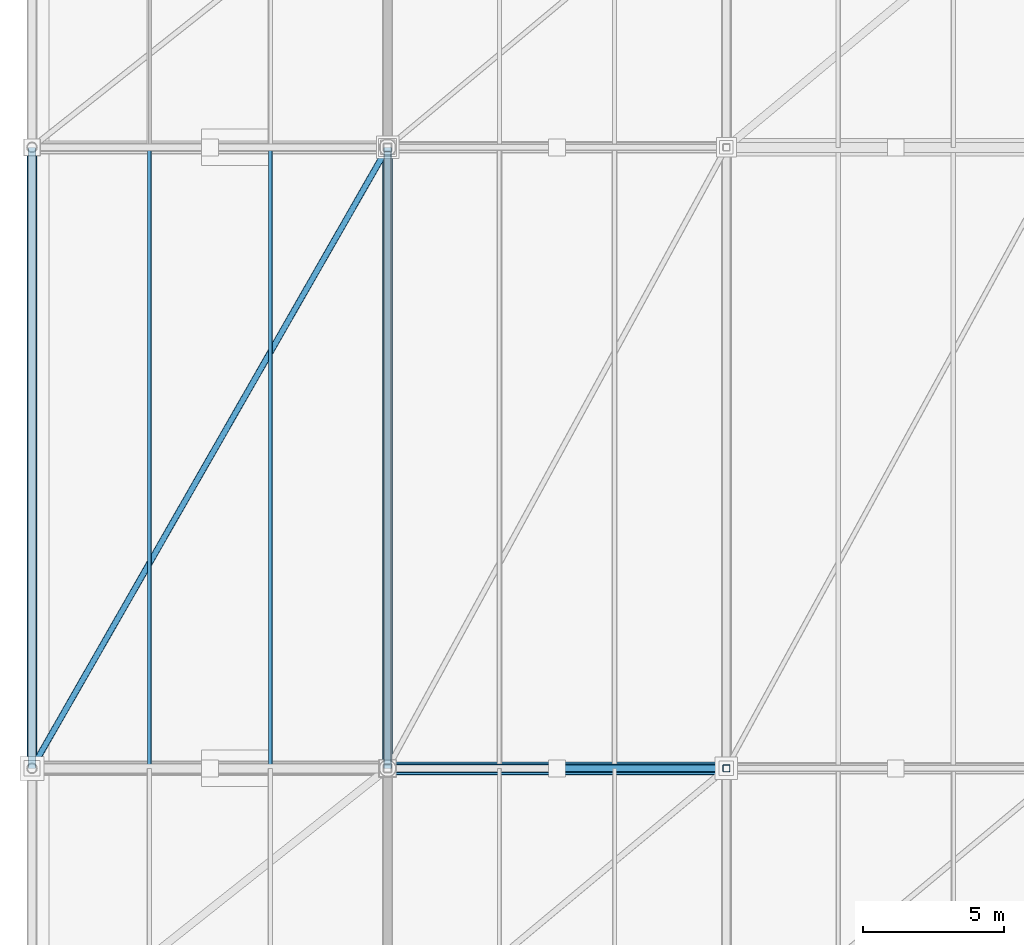
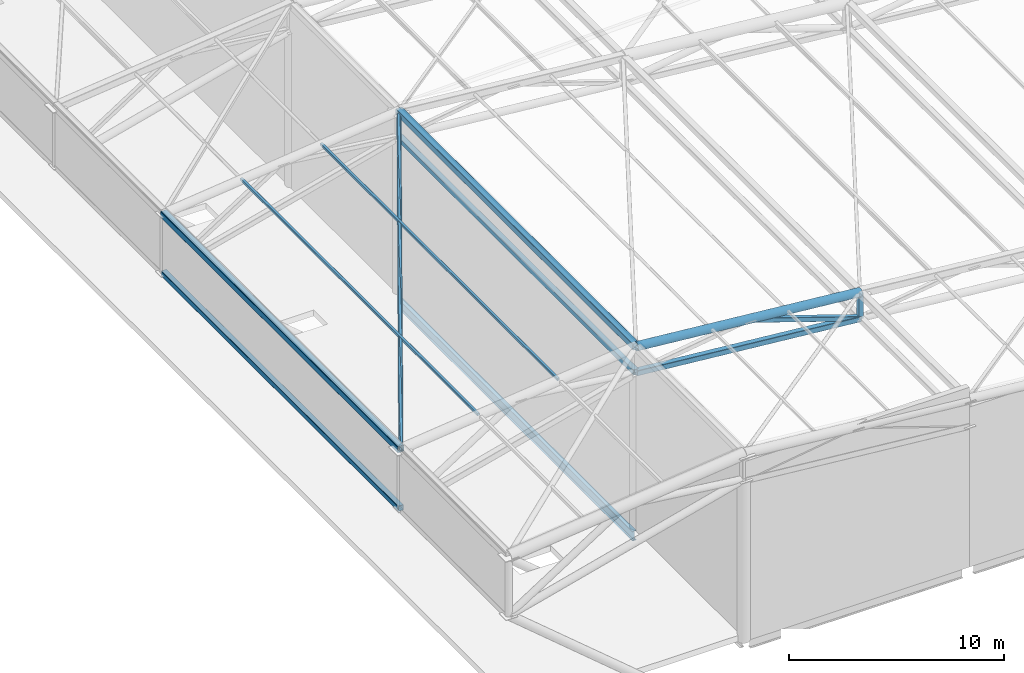
# One storey, part 7 of 44: 11 members, 1 beam.
"""IFC4 building model written with IfcOpenShell, lengths in metres."""

from ifc_helpers import new_model, si_unit, direction, frame, origin, origin_2d, place, context, subcontext, project, spatial, hollow_rectangle, hollow_circle, i_section, extrude, material, material_profile, profile_set, type_object, element, save


model = new_model("IFC4")

# Units and contexts
model_context = context("Model", 3, precision=1e-05, world=origin(), true_north=direction((0.0, 1.0)))
body_context = subcontext(model_context, "Body", "Model", "MODEL_VIEW")
ifc_project = project(units=[si_unit("LENGTHUNIT", "METRE"), si_unit("AREAUNIT", "SQUARE_METRE"), si_unit("VOLUMEUNIT", "CUBIC_METRE"), si_unit("PLANEANGLEUNIT", "RADIAN"), si_unit("MASSUNIT", "GRAM", prefix="KILO")], contexts=[model_context])

# Site, building, storey
site_placement = place(None, origin())
site = spatial("IfcSite", under=ifc_project, at=site_placement, CompositionType="ELEMENT")
building_placement = place(site_placement, origin())
building = spatial("IfcBuilding", under=site, at=building_placement, Name="Brinegate Civic Arena", CompositionType="ELEMENT")
storey_placement = place(building_placement, frame((0.0, 0.0, 29.39990234375)))
storey = spatial("IfcBuildingStorey", under=building, at=storey_placement, Name="RF", CompositionType="ELEMENT", Elevation=29.39990234375)

# Members
ifc_material = material(Name="Steel S355", Category="steel")
ifc_material_profile_1 = material_profile(ifc_material, hollow_rectangle(XDim=0.139892578125, YDim=0.139892578125, WallThickness=0.008056640625, InnerFilletRadius=0.008056640625, OuterFilletRadius=0.01611328125, at=origin_2d()), Name="SHS140X8")
ifc_profile_set_1 = profile_set([ifc_material_profile_1], Name="Steel S355")
member_type_1 = type_object("IfcMemberType", Name="RF-PURLIN-SHS140", PredefinedType="PURLIN", material=ifc_profile_set_1)
for number, where, z_axis, x_axis, name in (
    (1, (51.55810546875, 20.0, 9.656982421875), (0.0, 1.0, 0.0), (-1.0, 0.0, 0.0), "Roof Purlin RFP-019"),
    (2, (55.842041015625, 20.0, 10.133056640625), (0.0, 1.0, 0.0), (-1.0, 0.0, 0.0), "Roof Purlin RFP-020"),
):
    element("IfcMember", number, at=place(storey_placement, frame(where, z_axis=z_axis, x_axis=x_axis)), inside=storey, type_object=member_type_1, Name=name, PredefinedType="PURLIN", context=body_context, shape_type="SweptSolid", body=[
        extrude(hollow_rectangle(XDim=0.139892578125, YDim=0.139892578125, WallThickness=0.008056640625, InnerFilletRadius=0.008056640625, OuterFilletRadius=0.01611328125, at=origin_2d()), origin(), (0.0, 0.0, 1.0), 22.0),
    ])
ifc_material_profile_2 = material_profile(ifc_material, hollow_circle(Radius=0.109619140625, WallThickness=0.010009765625, at=origin_2d()), Name="CHS219X10")
ifc_profile_set_2 = profile_set([ifc_material_profile_2], Name="Steel S355")
member_type_2 = type_object("IfcMemberType", Name="SF-BRACE-CHS219", PredefinedType="BRACE", material=ifc_profile_set_2)
member_1_placement = place(storey_placement, frame((47.39990234375, 20.0, 9.150146484375), z_axis=(0.496235240708, 0.866435768469, 0.05513297559), x_axis=(-0.867755606686, 0.496991153909, 0.0)))
element("IfcMember", 3, at=member_1_placement, inside=storey, type_object=member_type_2, Name="Roof Plan Diagonal Brace PL-2-1", PredefinedType="BRACE", context=body_context, shape_type="SweptSolid", body=[
    extrude(hollow_circle(Radius=0.109619140625, WallThickness=0.010009765625, at=origin_2d()), origin(), (0.0, 0.0, 1.0), 25.391357421875),
])
ifc_material_profile_3 = material_profile(ifc_material, hollow_rectangle(XDim=0.25, YDim=0.25, WallThickness=0.011962890625, InnerFilletRadius=0.011962890625, OuterFilletRadius=0.02392578125, at=origin_2d()), Name="SHS250X12")
ifc_profile_set_3 = profile_set([ifc_material_profile_3], Name="Steel S355")
member_type_3 = type_object("IfcMemberType", Name="SF-BRACE-SHS250", PredefinedType="BRACE", material=ifc_profile_set_3)
member_2_placement = place(storey_placement, frame((66.0, 20.0, 9.988037109375), z_axis=(0.948068139281, 0.0, -0.318067293635), x_axis=(0.0, 1.0, 0.0)))
element("IfcMember", 4, at=member_2_placement, inside=storey, type_object=member_type_3, Name="Space Frame Web Brace D2-2-2", PredefinedType="BRACE", context=body_context, shape_type="SweptSolid", body=[
    extrude(hollow_rectangle(XDim=0.25, YDim=0.25, WallThickness=0.011962890625, InnerFilletRadius=0.011962890625, OuterFilletRadius=0.02392578125, at=origin_2d()), origin(), (0.0, 0.0, 1.0), 6.32861328125),
])
ifc_material_profile_4 = material_profile(ifc_material, hollow_circle(Radius=0.228515625, WallThickness=0.01611328125, at=origin_2d()), Name="CHS457X16")
ifc_profile_set_4 = profile_set([ifc_material_profile_4], Name="Steel S355")
member_type_4 = type_object("IfcMemberType", Name="SF-CHORD-CHS457", PredefinedType="CHORD", material=ifc_profile_set_4)
member_3_placement = place(storey_placement, frame((60.0, 20.0, 10.550048828125), z_axis=(0.995634226059, 0.0, -0.093340708693), x_axis=(0.0, 1.0, 0.0)))
element("IfcMember", 5, at=member_3_placement, inside=storey, type_object=member_type_4, Name="Space Frame Top Chord TX-2-2", PredefinedType="CHORD", context=body_context, shape_type="SweptSolid", body=[
    extrude(hollow_circle(Radius=0.228515625, WallThickness=0.01611328125, at=origin_2d()), origin(), (0.0, 0.0, 1.0), 12.052734375),
])
ifc_material_profile_5 = material_profile(ifc_material, hollow_rectangle(XDim=0.300048828125, YDim=0.300048828125, WallThickness=0.01611328125, InnerFilletRadius=0.01611328125, OuterFilletRadius=0.031982421875, at=origin_2d()), Name="SHS300X16")
ifc_profile_set_5 = profile_set([ifc_material_profile_5], Name="Steel S355")
member_type_5 = type_object("IfcMemberType", Name="SF-CHORD-SHS300", PredefinedType="CHORD", material=ifc_profile_set_5)
member_4_placement = place(storey_placement, frame((60.0, 20.0, 9.10009765625), z_axis=(0.995634226059, 0.0, -0.093340708693), x_axis=(0.0, 1.0, 0.0)))
element("IfcMember", 6, at=member_4_placement, inside=storey, type_object=member_type_5, Name="Space Frame Bottom Chord BX-2-2", PredefinedType="CHORD", context=body_context, shape_type="SweptSolid", body=[
    extrude(hollow_rectangle(XDim=0.300048828125, YDim=0.300048828125, WallThickness=0.01611328125, InnerFilletRadius=0.01611328125, OuterFilletRadius=0.031982421875, at=origin_2d()), origin(), (0.0, 0.0, 1.0), 12.052734375),
])
for number, where, z_axis, x_axis, name in (
    (7, (47.39990234375, 20.0, 5.800048828125), (0.0, 1.0, 0.0), (-1.0, 0.0, 0.0), "Space Frame Cross Bottom Chord BY-2-1"),
    (8, (60.0, 20.0, 9.10009765625), (0.0, 1.0, 0.0), (-1.0, 0.0, 0.0), "Space Frame Cross Bottom Chord BY-2-2"),
):
    element("IfcMember", number, at=place(storey_placement, frame(where, z_axis=z_axis, x_axis=x_axis)), inside=storey, type_object=member_type_5, Name=name, PredefinedType="CHORD", context=body_context, shape_type="SweptSolid", body=[
        extrude(hollow_rectangle(XDim=0.300048828125, YDim=0.300048828125, WallThickness=0.01611328125, InnerFilletRadius=0.01611328125, OuterFilletRadius=0.031982421875, at=origin_2d()), origin(), (0.0, 0.0, 1.0), 22.0),
    ])
ifc_material_profile_6 = material_profile(ifc_material, hollow_rectangle(XDim=0.35009765625, YDim=0.35009765625, WallThickness=0.01611328125, InnerFilletRadius=0.01611328125, OuterFilletRadius=0.031982421875, at=origin_2d()), Name="SHS350X16")
ifc_profile_set_6 = profile_set([ifc_material_profile_6], Name="Steel S355")
member_type_6 = type_object("IfcMemberType", Name="SF-CHORD-SHS350", PredefinedType="CHORD", material=ifc_profile_set_6)
for number, where, z_axis, x_axis, name in (
    (9, (47.39990234375, 20.0, 9.150146484375), (0.0, 1.0, 0.0), (-1.0, 0.0, 0.0), "Space Frame Cross Top Chord TY-2-1"),
    (10, (60.0, 20.0, 10.550048828125), (0.0, 1.0, 0.0), (-1.0, 0.0, 0.0), "Space Frame Cross Top Chord TY-2-2"),
):
    element("IfcMember", number, at=place(storey_placement, frame(where, z_axis=z_axis, x_axis=x_axis)), inside=storey, type_object=member_type_6, Name=name, PredefinedType="CHORD", context=body_context, shape_type="SweptSolid", body=[
        extrude(hollow_rectangle(XDim=0.35009765625, YDim=0.35009765625, WallThickness=0.01611328125, InnerFilletRadius=0.01611328125, OuterFilletRadius=0.031982421875, at=origin_2d()), origin(), (0.0, 0.0, 1.0), 22.0),
    ])
ifc_material_profile_7 = material_profile(ifc_material, hollow_rectangle(XDim=0.25, YDim=0.25, WallThickness=0.011962890625, InnerFilletRadius=0.011962890625, OuterFilletRadius=0.02392578125, at=origin_2d()), Name="SHS250X12")
ifc_profile_set_7 = profile_set([ifc_material_profile_7], Name="Steel S355")
member_type_7 = type_object("IfcMemberType", Name="SF-STRUT-SHS250", PredefinedType="STRUT", material=ifc_profile_set_7)
member_5_placement = place(storey_placement, frame((72.0, 20.0, 7.97509765625), z_axis=(0.0, 0.0, 1.0), x_axis=(1.0, 0.0, 0.0)))
element("IfcMember", 11, at=member_5_placement, inside=storey, type_object=member_type_7, Name="Space Frame Vertical Post V-2-3", PredefinedType="STRUT", context=body_context, shape_type="SweptSolid", body=[
    extrude(hollow_rectangle(XDim=0.25, YDim=0.25, WallThickness=0.011962890625, InnerFilletRadius=0.011962890625, OuterFilletRadius=0.02392578125, at=origin_2d()), origin(), (0.0, 0.0, 1.0), 1.449951171875),
])

# Beam
ifc_material_profile_8 = material_profile(ifc_material, i_section(OverallWidth=0.2119140625, OverallDepth=0.5439453125, WebThickness=0.012939453125, FlangeThickness=0.02099609375, FilletRadius=0.01611328125, at=origin_2d()), Name="W530X123")
ifc_profile_set_8 = profile_set([ifc_material_profile_8], Name="Steel S355")
beam_type = type_object("IfcBeamType", Name="SPANDREL-W530X123", PredefinedType="SPANDREL", material=ifc_profile_set_8)
beam_placement = place(storey_placement, frame((60.0, 20.14990234375, -0.27197265625), z_axis=(0.0, 1.0, 0.0), x_axis=(-1.0, 0.0, 0.0)))
element("IfcBeam", 12, at=beam_placement, inside=storey, type_object=beam_type, Name="West Drum Crown Ring Beam WDRM-2", PredefinedType="SPANDREL", context=body_context, shape_type="SweptSolid", body=[
    extrude(i_section(OverallWidth=0.2119140625, OverallDepth=0.5439453125, WebThickness=0.012939453125, FlangeThickness=0.02099609375, FilletRadius=0.01611328125, at=origin_2d()), origin(), (0.0, 0.0, 1.0), 21.7001953125),
])

save(model, "model.ifc")
